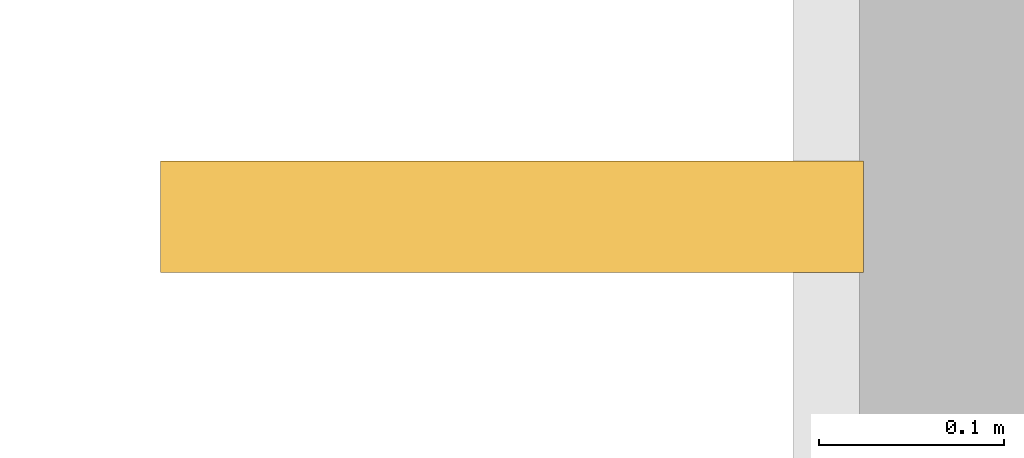
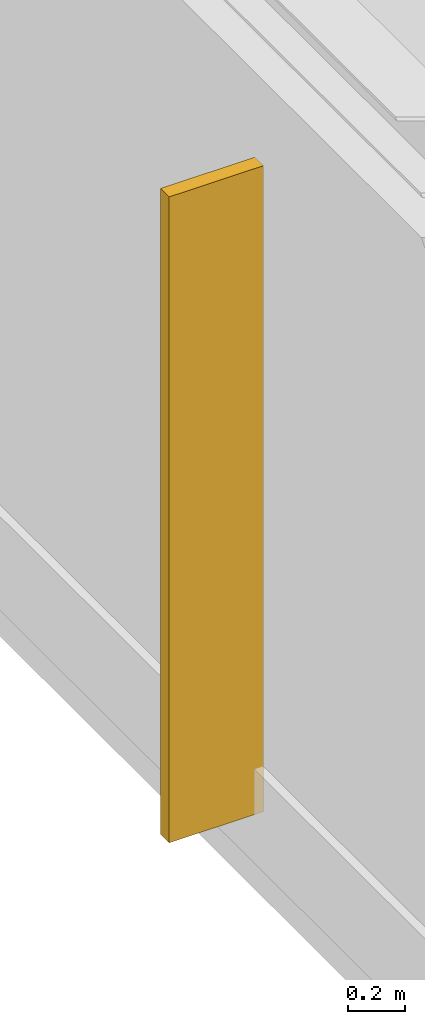
# One storey, part 108 of 114: 1 shading device.
"""IFC4 building model written with IfcOpenShell, lengths in metres."""

from ifc_helpers import new_model, si_unit, direction, frame, origin, origin_2d, place, context, subcontext, project, spatial, rectangle, extrude, material, type_object, element, save


model = new_model("IFC4")

# Units and contexts
model_context = context("Model", 3, precision=1e-05, world=origin(), true_north=direction((0.0, 1.0)))
body_context = subcontext(model_context, "Body", "Model", "MODEL_VIEW")
ifc_project = project(units=[si_unit("LENGTHUNIT", "METRE"), si_unit("AREAUNIT", "SQUARE_METRE"), si_unit("VOLUMEUNIT", "CUBIC_METRE"), si_unit("PLANEANGLEUNIT", "RADIAN"), si_unit("MASSUNIT", "GRAM", prefix="KILO")], contexts=[model_context])

# Site, building, storey
site_placement = place(None, origin())
site = spatial("IfcSite", under=ifc_project, at=site_placement, CompositionType="ELEMENT")
building_placement = place(site_placement, origin())
building = spatial("IfcBuilding", under=site, at=building_placement, Name="Montecoro Central Library", CompositionType="ELEMENT")
storey_placement = place(building_placement, frame((0.0, 0.0, 13.260009765625)))
storey = spatial("IfcBuildingStorey", under=building, at=storey_placement, Name="L03", CompositionType="ELEMENT", Elevation=13.260009765625)

# Shading device
ifc_material = material(Name="Architectural bronze solar fin", Category="aluminium")
shading_device_type = type_object("IfcShadingDeviceType", Name="SHD-FIN-11", PredefinedType="USERDEFINED", material=ifc_material)
shading_device_placement = place(storey_placement, frame((66.049560546875, 107.60009765625, 0.364990234375), z_axis=(0.0, 0.0, 1.0), x_axis=(0.0, -1.0, 0.0)))
element("IfcShadingDevice", 1, at=shading_device_placement, inside=storey, type_object=shading_device_type, Name="V2-L03-FIN-W2", ObjectType="SOLAR FIN", PredefinedType="USERDEFINED", context=body_context, shape_type="SweptSolid", body=[
    extrude(rectangle(XDim=0.06005859375, YDim=0.3798828125, at=origin_2d()), origin(), (0.0, 0.0, 1.0), 2.75),
])

save(model, "model.ifc")
